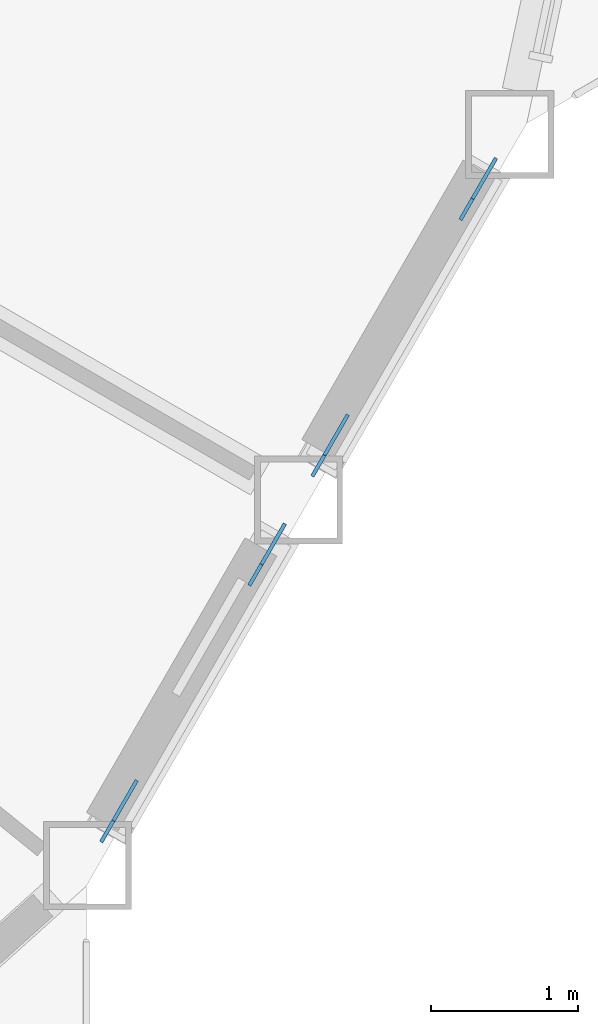
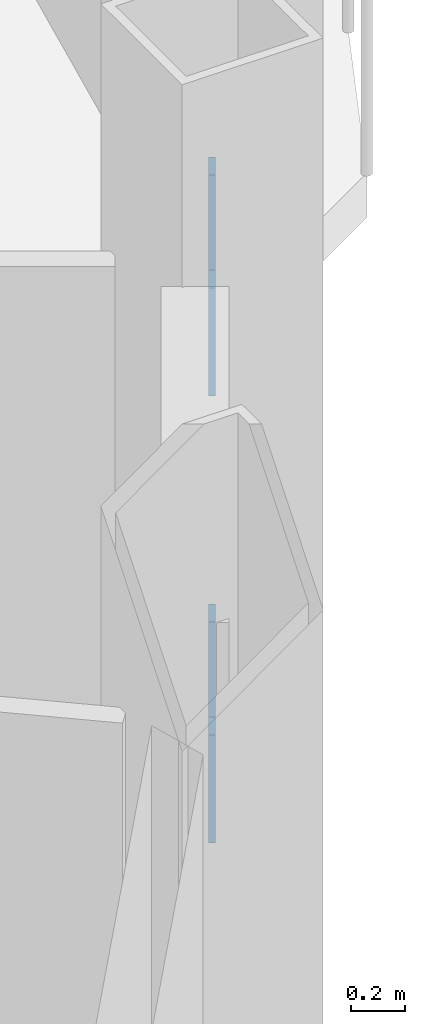
# One storey, part 20 of 26: 4 discrete accessories.
"""IFC4 building model written with IfcOpenShell, lengths in metres."""

from ifc_helpers import new_model, si_unit, direction, frame, origin, origin_2d, place, context, subcontext, project, spatial, rectangle, extrude, material, material_profile, profile_set, type_object, element, save


model = new_model("IFC4")

# Units and contexts
model_context = context("Model", 3, precision=1e-05, world=origin(), true_north=direction((0.0, 1.0)))
body_context = subcontext(model_context, "Body", "Model", "MODEL_VIEW")
ifc_project = project(units=[si_unit("LENGTHUNIT", "METRE"), si_unit("AREAUNIT", "SQUARE_METRE"), si_unit("VOLUMEUNIT", "CUBIC_METRE"), si_unit("PLANEANGLEUNIT", "RADIAN"), si_unit("MASSUNIT", "GRAM", prefix="KILO")], contexts=[model_context])

# Site, building, storey
site_placement = place(None, origin())
site = spatial("IfcSite", under=ifc_project, at=site_placement, CompositionType="ELEMENT")
building_placement = place(site_placement, origin())
building = spatial("IfcBuilding", under=site, at=building_placement, Name="Cormorant Prow Tower", CompositionType="ELEMENT")
storey_placement = place(building_placement, frame((0.0, 0.0, 342.60009765625)))
storey = spatial("IfcBuildingStorey", under=building, at=storey_placement, Name="L77", CompositionType="ELEMENT", Elevation=342.60009765625)

# Discrete accessories
ifc_material = material(Name="Structural steel ASTM A500 Gr C", Category="steel")
ifc_material_profile = material_profile(ifc_material, rectangle(XDim=0.02490234375, YDim=0.405029296875, at=origin_2d()), Name="Gusset plate 25x405")
ifc_profile_set = profile_set([ifc_material_profile], Name="Structural steel ASTM A500 Gr C")
discrete_accessory_type = type_object("IfcDiscreteAccessoryType", Name="Gusset plate 25x405", PredefinedType="BRACKET", material=ifc_profile_set)
discrete_accessory_1_placement = place(storey_placement, frame((27.137939453125, -16.34765625, 0.86376953125), z_axis=(0.456360760472, 0.789908839227, -0.4096082055), x_axis=(-0.865879799044, 0.500252110048, 0.0)))
element("IfcDiscreteAccessory", 1, at=discrete_accessory_1_placement, inside=storey, type_object=discrete_accessory_type, Name="Gusset plate GP3 L77.ESE00.g0", PredefinedType="BRACKET", context=body_context, shape_type="SweptSolid", body=[
    extrude(rectangle(XDim=0.02490234375, YDim=0.405029296875, at=origin_2d()), origin(), (0.0, 0.0, 1.0), 0.349853515625),
])
for number, where, z_axis, x_axis, name in (
    (2, (26.289794921875, -17.817138671875, 1.6240234375), (-0.456791619277, -0.790144892581, 0.408671586101), (0.865740004385, -0.50049400077, 0.0), "Gusset plate GP3 L77.ESE00.g1"),
    (3, (28.574951171875, -13.85888671875, 0.86376953125), (0.456109312262, 0.790171025676, -0.409382517274), (-0.866071029786, 0.499920965119, 0.0), "Gusset plate GP3 L77.ESE01.g0"),
):
    element("IfcDiscreteAccessory", number, at=place(storey_placement, frame(where, z_axis=z_axis, x_axis=x_axis)), inside=storey, type_object=discrete_accessory_type, Name=name, PredefinedType="BRACKET", context=body_context, shape_type="SweptSolid", body=[
        extrude(rectangle(XDim=0.02490234375, YDim=0.405029296875, at=origin_2d()), origin(), (0.0, 0.0, 1.0), 0.35009765625),
    ])
discrete_accessory_2_placement = place(storey_placement, frame((27.7265625, -15.328369140625, 1.6240234375), z_axis=(-0.456239480558, -0.790396531303, 0.408801736402), x_axis=(0.866071029786, -0.499920965119, 0.0)))
element("IfcDiscreteAccessory", 4, at=discrete_accessory_2_placement, inside=storey, type_object=discrete_accessory_type, Name="Gusset plate GP3 L77.ESE01.g1", PredefinedType="BRACKET", context=body_context, shape_type="SweptSolid", body=[
    extrude(rectangle(XDim=0.02490234375, YDim=0.405029296875, at=origin_2d()), origin(), (0.0, 0.0, 1.0), 0.349853515625),
])

save(model, "model.ifc")
